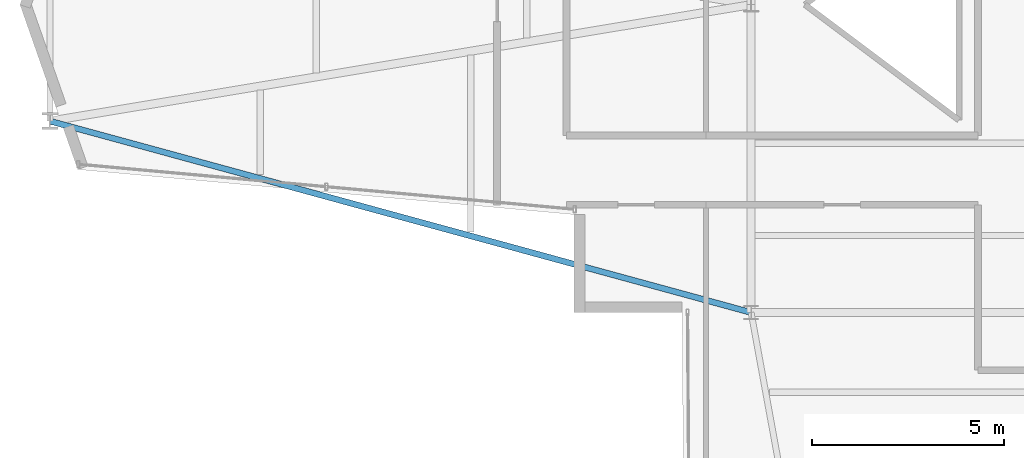
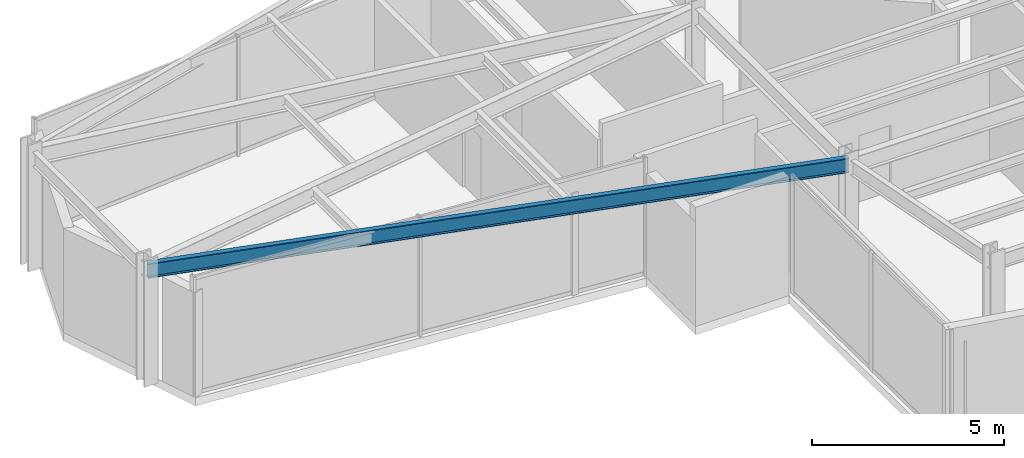
# One storey, part 3 of 23: 1 beam.
"""IFC4 building model written with IfcOpenShell, lengths in metres."""

import ifcopenshell
import ifcopenshell.guid

model = None  # the IFC model being written
_history = None  # IfcOwnerHistory: only IFC2X3 demands one
_inside = {}  # id of a spatial element -> (the spatial element, [elements in it])
_under = {}  # id of a project, library or spatial element -> (it, [spatial elements below it])
_declared = {}  # id of a project -> (the project, [libraries it declares])
_typed = {}  # id of a type object -> (the type object, [elements of that type])
_made_of = {}  # id of a material, layer set ... -> (it, [elements and type objects made of it])


def new_model(schema):
    """Start an empty IFC model of exactly this schema.

    Asked for "IFC4X3", IfcOpenShell would pick the latest addendum, in which some entities
    have other attributes; the version numbers below select the first issue.
    IFC2X3 requires an IfcOwnerHistory on every rooted entity: one is made here for all.
    """
    global model, _history
    if schema == "IFC4X3":
        model = ifcopenshell.file(schema_version=(4, 3, 0, 0))
    else:
        model = ifcopenshell.file(schema=schema)
    _inside.clear()
    _under.clear()
    _declared.clear()
    _typed.clear()
    _made_of.clear()
    _history = None
    if model.schema == "IFC2X3":
        org = make("IfcOrganization", Name="unknown")
        user = make(
            "IfcPersonAndOrganization",
            ThePerson=make("IfcPerson", FamilyName="unknown"),
            TheOrganization=org,
        )
        app = make(
            "IfcApplication",
            ApplicationDeveloper=org,
            Version="unknown",
            ApplicationFullName="unknown",
            ApplicationIdentifier="unknown",
        )
        _history = make(
            "IfcOwnerHistory",
            OwningUser=user,
            OwningApplication=app,
            ChangeAction="ADDED",
            CreationDate=0,
        )
    return model


def make(cls, **values):
    """One entity of the class cls with the attributes given. An attribute that is None is left unset."""
    return model.create_entity(
        cls, **{name: value for name, value in values.items() if value is not None}
    )


def rooted(cls, **values):
    """An entity with a GlobalId (a new one), such as an element, a storey or a relation."""
    return make(cls, GlobalId=ifcopenshell.guid.new(), OwnerHistory=_history, **values)


def si_unit(unit_type, name, prefix=None):
    """IfcSIUnit, for example si_unit("LENGTHUNIT", "METRE", prefix="MILLI")."""
    return make("IfcSIUnit", UnitType=unit_type, Prefix=prefix, Name=name)


def assignment(units):
    """IfcUnitAssignment: the units of a project."""
    return None if units is None else make("IfcUnitAssignment", Units=units)


def point(xyz):
    """IfcCartesianPoint."""
    return None if xyz is None else make("IfcCartesianPoint", Coordinates=xyz)


def direction(xyz):
    """IfcDirection."""
    return None if xyz is None else make("IfcDirection", DirectionRatios=xyz)


def frame(location, z_axis=None, x_axis=None):
    """IfcAxis2Placement3D, a coordinate frame: its origin and axes. An axis left out is left unset."""
    return make(
        "IfcAxis2Placement3D",
        Location=point(location),
        Axis=direction(z_axis),
        RefDirection=direction(x_axis),
    )


def frame_2d(location, x_axis=None):
    """IfcAxis2Placement2D, a coordinate frame in the plane: its origin and x axis."""
    return make(
        "IfcAxis2Placement2D", Location=point(location), RefDirection=direction(x_axis)
    )


def origin():
    """The frame at (0, 0, 0) with its axes left unset."""
    return frame((0.0, 0.0, 0.0))


def origin_2d():
    """The frame at (0, 0) in the plane with its x axis left unset."""
    return frame_2d((0.0, 0.0))


def place(relative_to, where):
    """IfcLocalPlacement: puts the frame where relative to a parent placement (None: the world)."""
    return make(
        "IfcLocalPlacement", PlacementRelTo=relative_to, RelativePlacement=where
    )


def context(
    kind, dimensions, precision=None, world=None, true_north=None, identifier=None
):
    """IfcGeometricRepresentationContext, for example the 3D "Model" context."""
    return make(
        "IfcGeometricRepresentationContext",
        ContextIdentifier=identifier,
        ContextType=kind,
        CoordinateSpaceDimension=dimensions,
        Precision=precision,
        WorldCoordinateSystem=world,
        TrueNorth=true_north,
    )


def subcontext(parent, identifier, kind, view, scale=None):
    """IfcGeometricRepresentationSubContext, for example "Body" below "Model"."""
    return make(
        "IfcGeometricRepresentationSubContext",
        ContextIdentifier=identifier,
        ContextType=kind,
        ParentContext=parent,
        TargetScale=scale,
        TargetView=view,
    )


def project(units=None, contexts=None):
    """IfcProject with its units and contexts."""
    return rooted(
        "IfcProject",
        Name="project",
        RepresentationContexts=contexts,
        UnitsInContext=assignment(units),
    )


def spatial(cls, under=None, at=None, **own):
    """A site, building, storey or space (cls), placed at a placement, below another one or the project."""
    s = rooted(cls, ObjectPlacement=at, **own)
    if under is not None:
        _under.setdefault(under.id(), (under, []))[1].append(s)
    return s


def profile(cls, at=None, kind="AREA", **sizes):
    """A parametric profile (cls). Its sizes go by their IFC names, for example OverallWidth=200.0."""
    return make(cls, ProfileType=kind, Position=at, **sizes)


def i_section(**sizes):
    """IfcIShapeProfileDef."""
    return profile("IfcIShapeProfileDef", **sizes)


def extrude(swept, where, along, depth):
    """IfcExtrudedAreaSolid: the profile swept, set in the frame where, extruded along a direction by depth."""
    return make(
        "IfcExtrudedAreaSolid",
        SweptArea=swept,
        Position=where,
        ExtrudedDirection=direction(along),
        Depth=depth,
    )


def shape(context_of_items, identifier, shape_type, items):
    """IfcShapeRepresentation: the items that make up one representation, for example the "Body"."""
    return make(
        "IfcShapeRepresentation",
        ContextOfItems=context_of_items,
        RepresentationIdentifier=identifier,
        RepresentationType=shape_type,
        Items=items,
    )


def material(Name=None, Category=None):
    """IfcMaterial."""
    return make("IfcMaterial", Name=Name, Category=Category)


def material_profile(
    of_material, cross_section, Name=None, Category=None, Priority=None
):
    """IfcMaterialProfile: a cross section and its material."""
    return make(
        "IfcMaterialProfile",
        Name=Name,
        Material=of_material,
        Profile=cross_section,
        Priority=Priority,
        Category=Category,
    )


def profile_set(profiles, Name=None, composite=None):
    """IfcMaterialProfileSet."""
    return make(
        "IfcMaterialProfileSet",
        Name=Name,
        MaterialProfiles=profiles,
        CompositeProfile=composite,
    )


def made_of(thing, what):
    """Note that an element or type object is made of a material, layer set ...; save() writes the relation."""
    if what is not None:
        _made_of.setdefault(what.id(), (what, []))[1].append(thing)
    return thing


def type_object(cls, material=None, **own):
    """A type object (cls), such as IfcWallType, which elements share."""
    return made_of(rooted(cls, **own), material)


def element(
    cls,
    number,
    at=None,
    inside=None,
    cuts=None,
    type_object=None,
    material=None,
    context=None,
    identifier="Body",
    shape_type=None,
    held_by="IfcProductDefinitionShape",
    body=None,
    shapes=None,
    **own,
):
    """One element of the class cls, such as IfcWall. Its Tag is "e" and its number.

    at: its placement. inside: the storey or other place that contains it. cuts: it is an
    opening in that element (IfcRelVoidsElement). A single representation is given by context,
    identifier, shape_type and body (its items); several are given by shapes. held_by: the class
    of the entity that holds the representations. save() writes the other relations.
    """
    e = rooted(cls, Tag="e%d" % number, ObjectPlacement=at, **own)
    if body is not None:
        shapes = [shape(context, identifier, shape_type, body)]
    if shapes is not None:
        e.Representation = make(held_by, Representations=shapes)
    if inside is not None:
        _inside.setdefault(inside.id(), (inside, []))[1].append(e)
    if cuts is not None:
        rooted(
            "IfcRelVoidsElement", RelatingBuildingElement=cuts, RelatedOpeningElement=e
        )
    if type_object is not None:
        _typed.setdefault(type_object.id(), (type_object, []))[1].append(e)
    return made_of(e, material)


def aggregate(whole, parts):
    """IfcRelAggregates: a whole, such as a stair, and the parts it consists of."""
    return rooted("IfcRelAggregates", RelatingObject=whole, RelatedObjects=parts)


def save(model, path):
    """Write the relations noted so far, then the file.

    IfcRelAggregates (storeys below a building ...), IfcRelContainedInSpatialStructure (elements
    in a storey), IfcRelDefinesByType, IfcRelAssociatesMaterial and IfcRelDeclares: one each for
    every whole, place, type object, material and project.
    """
    for whole, parts in _under.values():
        aggregate(whole, parts)
    for where, things in _inside.values():
        rooted(
            "IfcRelContainedInSpatialStructure",
            RelatedElements=things,
            RelatingStructure=where,
        )
    for kind, things in _typed.values():
        rooted("IfcRelDefinesByType", RelatedObjects=things, RelatingType=kind)
    for what, things in _made_of.values():
        rooted("IfcRelAssociatesMaterial", RelatedObjects=things, RelatingMaterial=what)
    for by, libraries in _declared.values():
        rooted("IfcRelDeclares", RelatingContext=by, RelatedDefinitions=libraries)
    model.write(path)


model = new_model("IFC4")

# Units and contexts
model_context = context("Model", 3, precision=1e-05, world=origin(), true_north=direction((0.0, 1.0)))
body_context = subcontext(model_context, "Body", "Model", "MODEL_VIEW")
ifc_project = project(units=[si_unit("LENGTHUNIT", "METRE"), si_unit("AREAUNIT", "SQUARE_METRE"), si_unit("VOLUMEUNIT", "CUBIC_METRE"), si_unit("PLANEANGLEUNIT", "RADIAN"), si_unit("MASSUNIT", "GRAM", prefix="KILO")], contexts=[model_context])

# Site, building, storey
site_placement = place(None, origin())
site = spatial("IfcSite", under=ifc_project, at=site_placement, CompositionType="ELEMENT")
building_placement = place(site_placement, origin())
building = spatial("IfcBuilding", under=site, at=building_placement, Name="Veymaron Broadcast Tower", CompositionType="ELEMENT")
storey_placement = place(building_placement, frame((0.0, 0.0, 195.89990234375)))
storey = spatial("IfcBuildingStorey", under=building, at=storey_placement, Name="L45", CompositionType="ELEMENT", Elevation=195.89990234375)

# Beam
ifc_material = material(Name="Structural steel ASTM A992 Gr 50", Category="steel")
ifc_material_profile = material_profile(ifc_material, i_section(OverallWidth=0.154052734375, OverallDepth=0.458984375, WebThickness=0.009033203125, FlangeThickness=0.015380859375, at=origin_2d()), Name="W460X68")
ifc_profile_set = profile_set([ifc_material_profile], Name="Structural steel ASTM A992 Gr 50")
beam_type = type_object("IfcBeamType", Name="BM-SP2", PredefinedType="SPANDREL", material=ifc_profile_set)
beam_placement = place(storey_placement, frame((12.97509765625, 20.97509765625, 3.560546875), z_axis=(0.964700867806, -0.263348126353, 0.0), x_axis=(0.263348126353, 0.964700867806, 0.0)))
element("IfcBeam", 1, at=beam_placement, inside=storey, type_object=beam_type, Name="L45 primary structural floor girder", PredefinedType="SPANDREL", context=body_context, shape_type="SweptSolid", body=[
    extrude(i_section(OverallWidth=0.154052734375, OverallDepth=0.458984375, WebThickness=0.009033203125, FlangeThickness=0.015380859375, at=origin_2d()), origin(), (0.0, 0.0, 1.0), 18.8916015625),
])

save(model, "model.ifc")
